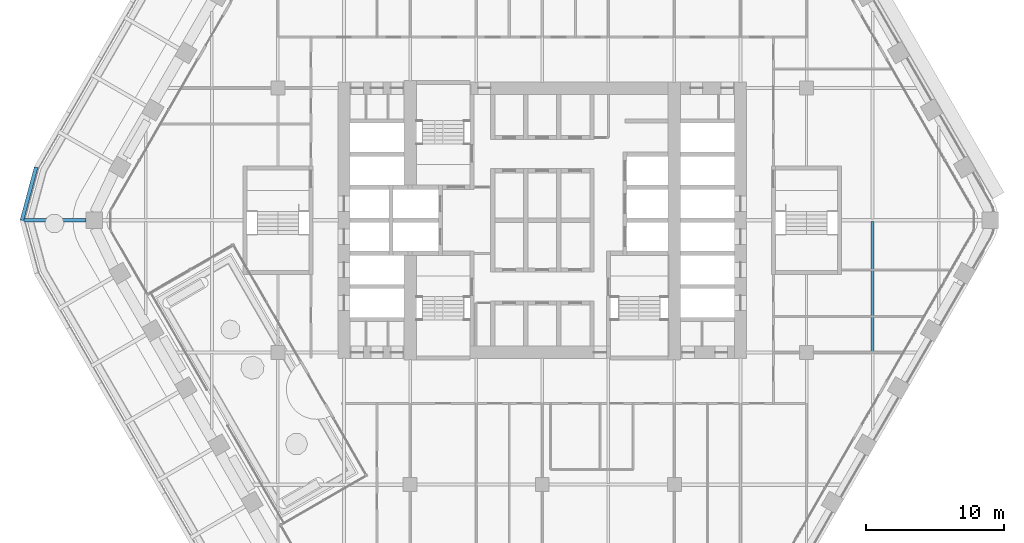
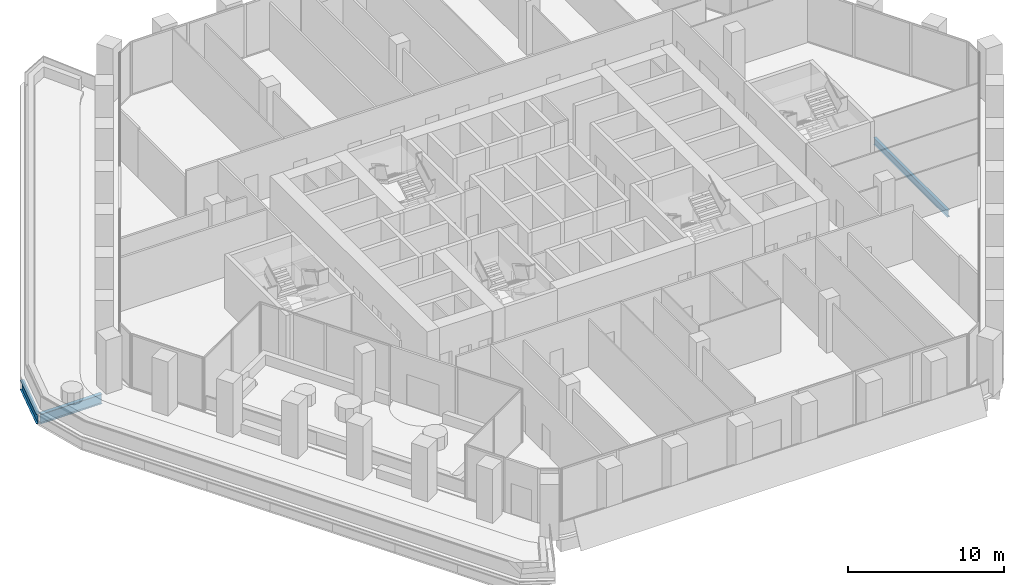
# One storey, part 6 of 27: 3 beams.
"""IFC4 building model written with IfcOpenShell, lengths in metres."""

import ifcopenshell
import ifcopenshell.guid

model = None  # the IFC model being written
_history = None  # IfcOwnerHistory: only IFC2X3 demands one
_inside = {}  # id of a spatial element -> (the spatial element, [elements in it])
_under = {}  # id of a project, library or spatial element -> (it, [spatial elements below it])
_declared = {}  # id of a project -> (the project, [libraries it declares])
_typed = {}  # id of a type object -> (the type object, [elements of that type])
_made_of = {}  # id of a material, layer set ... -> (it, [elements and type objects made of it])


def new_model(schema):
    """Start an empty IFC model of exactly this schema.

    Asked for "IFC4X3", IfcOpenShell would pick the latest addendum, in which some entities
    have other attributes; the version numbers below select the first issue.
    IFC2X3 requires an IfcOwnerHistory on every rooted entity: one is made here for all.
    """
    global model, _history
    if schema == "IFC4X3":
        model = ifcopenshell.file(schema_version=(4, 3, 0, 0))
    else:
        model = ifcopenshell.file(schema=schema)
    _inside.clear()
    _under.clear()
    _declared.clear()
    _typed.clear()
    _made_of.clear()
    _history = None
    if model.schema == "IFC2X3":
        org = make("IfcOrganization", Name="unknown")
        user = make(
            "IfcPersonAndOrganization",
            ThePerson=make("IfcPerson", FamilyName="unknown"),
            TheOrganization=org,
        )
        app = make(
            "IfcApplication",
            ApplicationDeveloper=org,
            Version="unknown",
            ApplicationFullName="unknown",
            ApplicationIdentifier="unknown",
        )
        _history = make(
            "IfcOwnerHistory",
            OwningUser=user,
            OwningApplication=app,
            ChangeAction="ADDED",
            CreationDate=0,
        )
    return model


def make(cls, **values):
    """One entity of the class cls with the attributes given. An attribute that is None is left unset."""
    return model.create_entity(
        cls, **{name: value for name, value in values.items() if value is not None}
    )


def rooted(cls, **values):
    """An entity with a GlobalId (a new one), such as an element, a storey or a relation."""
    return make(cls, GlobalId=ifcopenshell.guid.new(), OwnerHistory=_history, **values)


def si_unit(unit_type, name, prefix=None):
    """IfcSIUnit, for example si_unit("LENGTHUNIT", "METRE", prefix="MILLI")."""
    return make("IfcSIUnit", UnitType=unit_type, Prefix=prefix, Name=name)


def assignment(units):
    """IfcUnitAssignment: the units of a project."""
    return None if units is None else make("IfcUnitAssignment", Units=units)


def point(xyz):
    """IfcCartesianPoint."""
    return None if xyz is None else make("IfcCartesianPoint", Coordinates=xyz)


def direction(xyz):
    """IfcDirection."""
    return None if xyz is None else make("IfcDirection", DirectionRatios=xyz)


def frame(location, z_axis=None, x_axis=None):
    """IfcAxis2Placement3D, a coordinate frame: its origin and axes. An axis left out is left unset."""
    return make(
        "IfcAxis2Placement3D",
        Location=point(location),
        Axis=direction(z_axis),
        RefDirection=direction(x_axis),
    )


def frame_2d(location, x_axis=None):
    """IfcAxis2Placement2D, a coordinate frame in the plane: its origin and x axis."""
    return make(
        "IfcAxis2Placement2D", Location=point(location), RefDirection=direction(x_axis)
    )


def origin():
    """The frame at (0, 0, 0) with its axes left unset."""
    return frame((0.0, 0.0, 0.0))


def origin_2d():
    """The frame at (0, 0) in the plane with its x axis left unset."""
    return frame_2d((0.0, 0.0))


def place(relative_to, where):
    """IfcLocalPlacement: puts the frame where relative to a parent placement (None: the world)."""
    return make(
        "IfcLocalPlacement", PlacementRelTo=relative_to, RelativePlacement=where
    )


def context(
    kind, dimensions, precision=None, world=None, true_north=None, identifier=None
):
    """IfcGeometricRepresentationContext, for example the 3D "Model" context."""
    return make(
        "IfcGeometricRepresentationContext",
        ContextIdentifier=identifier,
        ContextType=kind,
        CoordinateSpaceDimension=dimensions,
        Precision=precision,
        WorldCoordinateSystem=world,
        TrueNorth=true_north,
    )


def subcontext(parent, identifier, kind, view, scale=None):
    """IfcGeometricRepresentationSubContext, for example "Body" below "Model"."""
    return make(
        "IfcGeometricRepresentationSubContext",
        ContextIdentifier=identifier,
        ContextType=kind,
        ParentContext=parent,
        TargetScale=scale,
        TargetView=view,
    )


def project(units=None, contexts=None):
    """IfcProject with its units and contexts."""
    return rooted(
        "IfcProject",
        Name="project",
        RepresentationContexts=contexts,
        UnitsInContext=assignment(units),
    )


def spatial(cls, under=None, at=None, **own):
    """A site, building, storey or space (cls), placed at a placement, below another one or the project."""
    s = rooted(cls, ObjectPlacement=at, **own)
    if under is not None:
        _under.setdefault(under.id(), (under, []))[1].append(s)
    return s


def profile(cls, at=None, kind="AREA", **sizes):
    """A parametric profile (cls). Its sizes go by their IFC names, for example OverallWidth=200.0."""
    return make(cls, ProfileType=kind, Position=at, **sizes)


def i_section(**sizes):
    """IfcIShapeProfileDef."""
    return profile("IfcIShapeProfileDef", **sizes)


def extrude(swept, where, along, depth):
    """IfcExtrudedAreaSolid: the profile swept, set in the frame where, extruded along a direction by depth."""
    return make(
        "IfcExtrudedAreaSolid",
        SweptArea=swept,
        Position=where,
        ExtrudedDirection=direction(along),
        Depth=depth,
    )


def shape(context_of_items, identifier, shape_type, items):
    """IfcShapeRepresentation: the items that make up one representation, for example the "Body"."""
    return make(
        "IfcShapeRepresentation",
        ContextOfItems=context_of_items,
        RepresentationIdentifier=identifier,
        RepresentationType=shape_type,
        Items=items,
    )


def material(Name=None, Category=None):
    """IfcMaterial."""
    return make("IfcMaterial", Name=Name, Category=Category)


def material_profile(
    of_material, cross_section, Name=None, Category=None, Priority=None
):
    """IfcMaterialProfile: a cross section and its material."""
    return make(
        "IfcMaterialProfile",
        Name=Name,
        Material=of_material,
        Profile=cross_section,
        Priority=Priority,
        Category=Category,
    )


def profile_set(profiles, Name=None, composite=None):
    """IfcMaterialProfileSet."""
    return make(
        "IfcMaterialProfileSet",
        Name=Name,
        MaterialProfiles=profiles,
        CompositeProfile=composite,
    )


def made_of(thing, what):
    """Note that an element or type object is made of a material, layer set ...; save() writes the relation."""
    if what is not None:
        _made_of.setdefault(what.id(), (what, []))[1].append(thing)
    return thing


def type_object(cls, material=None, **own):
    """A type object (cls), such as IfcWallType, which elements share."""
    return made_of(rooted(cls, **own), material)


def element(
    cls,
    number,
    at=None,
    inside=None,
    cuts=None,
    type_object=None,
    material=None,
    context=None,
    identifier="Body",
    shape_type=None,
    held_by="IfcProductDefinitionShape",
    body=None,
    shapes=None,
    **own,
):
    """One element of the class cls, such as IfcWall. Its Tag is "e" and its number.

    at: its placement. inside: the storey or other place that contains it. cuts: it is an
    opening in that element (IfcRelVoidsElement). A single representation is given by context,
    identifier, shape_type and body (its items); several are given by shapes. held_by: the class
    of the entity that holds the representations. save() writes the other relations.
    """
    e = rooted(cls, Tag="e%d" % number, ObjectPlacement=at, **own)
    if body is not None:
        shapes = [shape(context, identifier, shape_type, body)]
    if shapes is not None:
        e.Representation = make(held_by, Representations=shapes)
    if inside is not None:
        _inside.setdefault(inside.id(), (inside, []))[1].append(e)
    if cuts is not None:
        rooted(
            "IfcRelVoidsElement", RelatingBuildingElement=cuts, RelatedOpeningElement=e
        )
    if type_object is not None:
        _typed.setdefault(type_object.id(), (type_object, []))[1].append(e)
    return made_of(e, material)


def aggregate(whole, parts):
    """IfcRelAggregates: a whole, such as a stair, and the parts it consists of."""
    return rooted("IfcRelAggregates", RelatingObject=whole, RelatedObjects=parts)


def save(model, path):
    """Write the relations noted so far, then the file.

    IfcRelAggregates (storeys below a building ...), IfcRelContainedInSpatialStructure (elements
    in a storey), IfcRelDefinesByType, IfcRelAssociatesMaterial and IfcRelDeclares: one each for
    every whole, place, type object, material and project.
    """
    for whole, parts in _under.values():
        aggregate(whole, parts)
    for where, things in _inside.values():
        rooted(
            "IfcRelContainedInSpatialStructure",
            RelatedElements=things,
            RelatingStructure=where,
        )
    for kind, things in _typed.values():
        rooted("IfcRelDefinesByType", RelatedObjects=things, RelatingType=kind)
    for what, things in _made_of.values():
        rooted("IfcRelAssociatesMaterial", RelatedObjects=things, RelatingMaterial=what)
    for by, libraries in _declared.values():
        rooted("IfcRelDeclares", RelatingContext=by, RelatedDefinitions=libraries)
    model.write(path)


model = new_model("IFC4")

# Units and contexts
model_context = context("Model", 3, precision=1e-05, world=origin(), true_north=direction((0.0, 1.0)))
body_context = subcontext(model_context, "Body", "Model", "MODEL_VIEW")
ifc_project = project(units=[si_unit("LENGTHUNIT", "METRE"), si_unit("AREAUNIT", "SQUARE_METRE"), si_unit("VOLUMEUNIT", "CUBIC_METRE"), si_unit("PLANEANGLEUNIT", "RADIAN"), si_unit("MASSUNIT", "GRAM", prefix="KILO")], contexts=[model_context])

# Site, building, storey
site_placement = place(None, origin())
site = spatial("IfcSite", under=ifc_project, at=site_placement, CompositionType="ELEMENT")
building_placement = place(site_placement, origin())
building = spatial("IfcBuilding", under=site, at=building_placement, Name="Kolab Exchange Tower", CompositionType="ELEMENT")
storey_placement = place(building_placement, frame((0.0, 0.0, 122.89990234375)))
storey = spatial("IfcBuildingStorey", under=building, at=storey_placement, Name="L24", CompositionType="ELEMENT", Elevation=122.89990234375)

# Beams
ifc_material = material(Name="Steel S355", Category="steel")
ifc_material_profile_1 = material_profile(ifc_material, i_section(OverallWidth=0.208984375, OverallDepth=0.532958984375, WebThickness=0.01025390625, FlangeThickness=0.015625, at=origin_2d()), Name="W530X92")
ifc_profile_set_1 = profile_set([ifc_material_profile_1], Name="Steel S355")
beam_type_1 = type_object("IfcBeamType", Name="FLOOR BEAM W530X92", PredefinedType="BEAM", material=ifc_profile_set_1)
beam_1_placement = place(storey_placement, frame((24.0, -9.52587890625, -0.46630859375), z_axis=(0.0, 1.0, 0.0), x_axis=(-1.0, 0.0, 0.0)))
element("IfcBeam", 1, at=beam_1_placement, inside=storey, type_object=beam_type_1, Name="beam/L24/fr/047", PredefinedType="BEAM", context=body_context, shape_type="SweptSolid", body=[
    extrude(i_section(OverallWidth=0.208984375, OverallDepth=0.532958984375, WebThickness=0.01025390625, FlangeThickness=0.015625, at=origin_2d()), origin(), (0.0, 0.0, 1.0), 9.43896484375),
])
ifc_material_profile_2 = material_profile(ifc_material, i_section(OverallWidth=0.26708984375, OverallDepth=0.761962890625, WebThickness=0.014404296875, FlangeThickness=0.021484375, at=origin_2d()), Name="W760X173")
ifc_profile_set_2 = profile_set([ifc_material_profile_2], Name="Steel S355")
beam_type_2 = type_object("IfcBeamType", Name="FLOOR GIRDER W760X173", PredefinedType="BEAM", material=ifc_profile_set_2)
beam_2_placement = place(storey_placement, frame((-33.135986328125, 0.0, -0.640869140625), z_axis=(-1.0, 0.0, 0.0), x_axis=(0.0, -1.0, 0.0)))
element("IfcBeam", 2, at=beam_2_placement, inside=storey, type_object=beam_type_2, Name="beam/L24/ledge/rib-07", PredefinedType="BEAM", context=body_context, shape_type="SweptSolid", body=[
    extrude(i_section(OverallWidth=0.26708984375, OverallDepth=0.761962890625, WebThickness=0.014404296875, FlangeThickness=0.021484375, at=origin_2d()), origin(), (0.0, 0.0, 1.0), 4.532958984375),
])
beam_3_placement = place(storey_placement, frame((-37.797607421875, 0.0, -0.640869140625), z_axis=(0.258779988299, 0.965936290682, 0.0), x_axis=(-0.965936290682, 0.258779988299, 0.0)))
element("IfcBeam", 3, at=beam_3_placement, inside=storey, type_object=beam_type_2, Name="beam/L24/ledge/edge-09", PredefinedType="BEAM", context=body_context, shape_type="SweptSolid", body=[
    extrude(i_section(OverallWidth=0.26708984375, OverallDepth=0.761962890625, WebThickness=0.014404296875, FlangeThickness=0.021484375, at=origin_2d()), origin(), (0.0, 0.0, 1.0), 3.984130859375),
])

save(model, "model.ifc")
